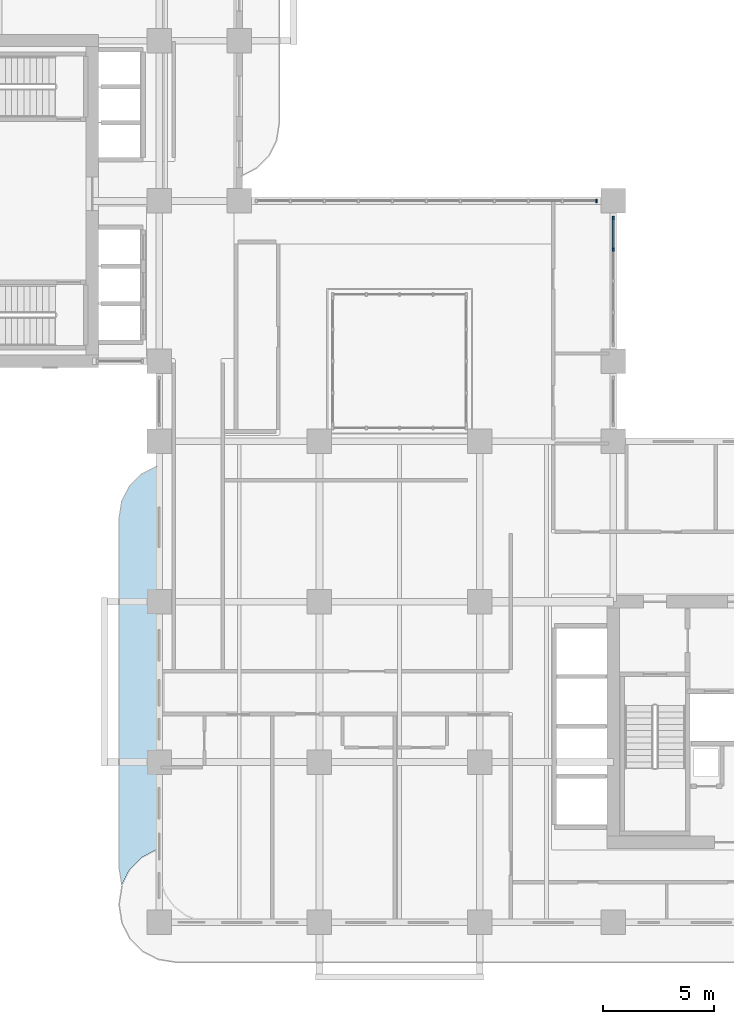
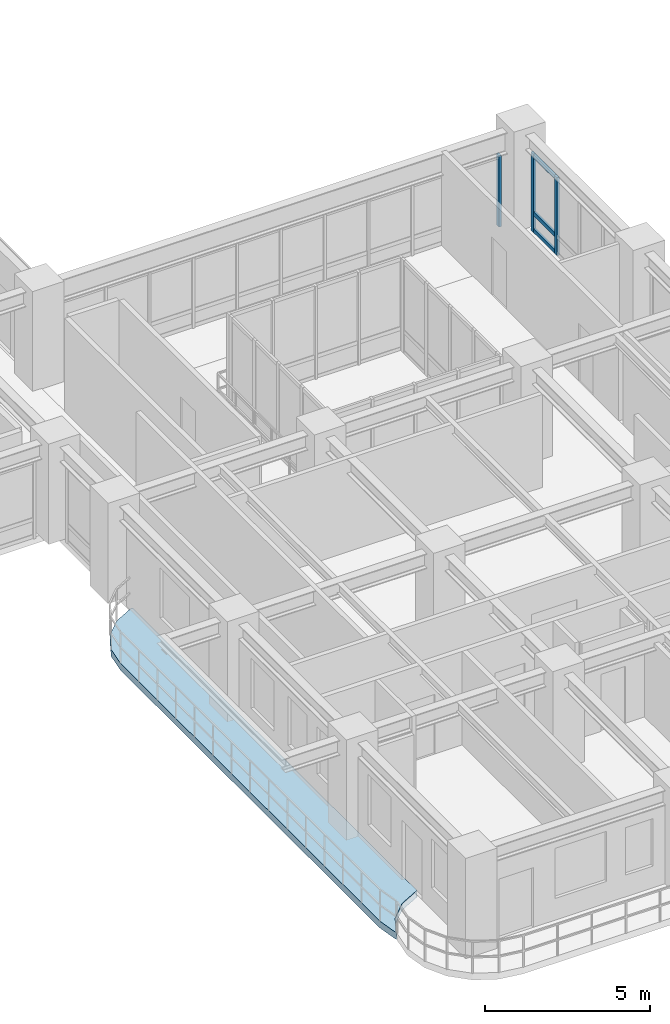
# One storey, part 8 of 22: 6 members, 1 slab, 2 elements without a shape of their own.
"""IFC4 building model written with IfcOpenShell, lengths in metres."""

from ifc_helpers import new_model, si_unit, derived_unit, direction, frame, origin, origin_2d, place, context, subcontext, project, spatial, polyline, rectangle, outline, extrude, source, transform, mapped, material, layer, layer_set, material_profile, profile_set, type_object, element, aggregate, save


model = new_model("IFC4")

# Units and contexts
model_context = context("Model", 3, precision=1e-05, world=origin(), true_north=direction((0.0, 1.0)))
body_context = subcontext(model_context, "Body", "Model", "MODEL_VIEW")
ifc_project = project(units=[si_unit("LENGTHUNIT", "METRE"), si_unit("AREAUNIT", "SQUARE_METRE"), si_unit("VOLUMEUNIT", "CUBIC_METRE"), si_unit("PLANEANGLEUNIT", "RADIAN"), si_unit("MASSUNIT", "GRAM", prefix="KILO"), si_unit("THERMODYNAMICTEMPERATUREUNIT", "KELVIN"), si_unit("POWERUNIT", "WATT"), derived_unit("THERMALTRANSMITTANCEUNIT", [(si_unit("POWERUNIT", "WATT"), 1), (si_unit("AREAUNIT", "SQUARE_METRE"), -1), (si_unit("THERMODYNAMICTEMPERATUREUNIT", "KELVIN"), -1)])], contexts=[model_context])

# Site, building, storey
site_placement = place(None, origin())
site = spatial("IfcSite", under=ifc_project, at=site_placement, CompositionType="ELEMENT")
building_placement = place(site_placement, origin())
building = spatial("IfcBuilding", under=site, at=building_placement, Name="Zahravan Archway Hotel and Residences", CompositionType="ELEMENT")
storey_placement = place(building_placement, frame((0.0, 0.0, 73.10009765625)))
storey = spatial("IfcBuildingStorey", under=building, at=storey_placement, Name="L17", CompositionType="ELEMENT", Elevation=73.10009765625)

# Curtain wall, members
ifc_material_1 = material(Name="Bronze-Anodized Unitised Aluminium & Low-E Glass", Category="aluminium")
ifc_layer_1 = layer(ifc_material_1, 0.179931640625, Name="Bronze-Anodized Unitised Aluminium & Low-E Glass", Category="aluminium")
ifc_layer_set_1 = layer_set([ifc_layer_1], Name="Bronze-Anodized Unitised Aluminium & Low-E Glass")
curtain_wall_type = type_object("IfcCurtainWallType", Name="CW-ATR-GLAZ", PredefinedType="NOTDEFINED", material=ifc_layer_set_1)
curtain_wall_1_placement = place(storey_placement, origin())
curtain_wall_1 = element("IfcCurtainWall", 1, at=curtain_wall_1_placement, inside=storey, type_object=curtain_wall_type, Name="L17 Curtain Wall CW-L17-HNG-E-2", PredefinedType="NOTDEFINED")
ifc_material_2 = material(Name="Bronze-Anodized Extruded Aluminium", Category="aluminium")
ifc_material_profile_1 = material_profile(ifc_material_2, rectangle(XDim=0.080078125, YDim=0.139892578125, at=origin_2d()), Name="TRN 80x140", Category="aluminium")
ifc_profile_set_1 = profile_set([ifc_material_profile_1], Name="Bronze-Anodized Extruded Aluminium")
member_type_1 = type_object("IfcMemberType", Name="CWM-TRN-140", PredefinedType="USERDEFINED", material=ifc_profile_set_1)
shared_shape_1 = source(origin(), body_context, "Body", "SweptSolid", [
    extrude(rectangle(XDim=0.080078125, YDim=0.139892578125, at=origin_2d()), origin(), (0.0, 0.0, 1.0), 1.340087890625),
])
member_1_placement = place(storey_placement, frame((34.800048828125, 30.260009765625, 0.06982421875), z_axis=(0.0, 1.0, 0.0), x_axis=(-1.0, 0.0, 0.0)))
member_1 = element("IfcMember", 2, at=member_1_placement, type_object=member_type_1, Name="CW-L17-HNG-E-2 Transom 3-1", ObjectType="TRANSOM", PredefinedType="USERDEFINED", context=body_context, shape_type="MappedRepresentation", body=[
    mapped(shared_shape_1, transform((0.0, 0.0, 0.0), scale=1.0)),
])
member_2_placement = place(storey_placement, frame((34.800048828125, 30.260009765625, 0.6923828125), z_axis=(0.0, 1.0, 0.0), x_axis=(-1.0, 0.0, 0.0)))
member_2 = element("IfcMember", 3, at=member_2_placement, type_object=member_type_1, Name="CW-L17-HNG-E-2 Transom 3-2", ObjectType="TRANSOM", PredefinedType="USERDEFINED", context=body_context, shape_type="MappedRepresentation", body=[
    mapped(shared_shape_1, transform((0.0, 0.0, 0.0), scale=1.0)),
])
member_3_placement = place(storey_placement, frame((34.800048828125, 30.260009765625, 2.81494140625), z_axis=(0.0, 1.0, 0.0), x_axis=(-1.0, 0.0, 0.0)))
member_3 = element("IfcMember", 4, at=member_3_placement, type_object=member_type_1, Name="CW-L17-HNG-E-2 Transom 3-3", ObjectType="TRANSOM", PredefinedType="USERDEFINED", context=body_context, shape_type="MappedRepresentation", body=[
    mapped(shared_shape_1, transform((0.0, 0.0, 0.0), scale=1.0)),
])
ifc_material_profile_2 = material_profile(ifc_material_2, rectangle(XDim=0.080078125, YDim=0.159912109375, at=origin_2d()), Name="MUL 80x160", Category="aluminium")
ifc_profile_set_2 = profile_set([ifc_material_profile_2], Name="Bronze-Anodized Extruded Aluminium")
member_type_2 = type_object("IfcMemberType", Name="CWM-MUL-160", PredefinedType="MULLION", material=ifc_profile_set_2)
shared_shape_2 = source(origin(), body_context, "Body", "SweptSolid", [
    extrude(rectangle(XDim=0.080078125, YDim=0.159912109375, at=origin_2d()), origin(), (0.0, 0.0, 1.0), 2.885009765625),
])
member_4_placement = place(storey_placement, frame((34.800048828125, 30.219970703125, 0.0), z_axis=(0.0, 0.0, 1.0), x_axis=(1.0, 0.0, 0.0)))
member_4 = element("IfcMember", 5, at=member_4_placement, type_object=member_type_2, Name="CW-L17-HNG-E-2 Mullion 3", PredefinedType="MULLION", context=body_context, shape_type="MappedRepresentation", body=[
    mapped(shared_shape_2, transform((0.0, 0.0, 0.0), scale=1.0)),
])
member_5_placement = place(storey_placement, frame((34.800048828125, 31.639892578125, 0.0), z_axis=(0.0, 0.0, 1.0), x_axis=(1.0, 0.0, 0.0)))
member_5 = element("IfcMember", 6, at=member_5_placement, type_object=member_type_2, Name="CW-L17-HNG-E-2 Mullion 4", PredefinedType="MULLION", context=body_context, shape_type="MappedRepresentation", body=[
    mapped(shared_shape_2, transform((0.0, 0.0, 0.0), scale=1.0)),
])
aggregate(curtain_wall_1, [member_4, member_5, member_1, member_2, member_3])

# Curtain wall, member
curtain_wall_2_placement = place(storey_placement, origin())
curtain_wall_2 = element("IfcCurtainWall", 7, at=curtain_wall_2_placement, inside=storey, type_object=curtain_wall_type, Name="L17 Curtain Wall CW-L17-HNG-N-1", PredefinedType="NOTDEFINED")
shared_shape_3 = source(origin(), body_context, "Body", "SweptSolid", [
    extrude(rectangle(XDim=0.080078125, YDim=0.159912109375, at=origin_2d()), origin(), (0.0, 0.0, 1.0), 2.635009765625),
])
member_6_placement = place(storey_placement, frame((34.0400390625, 32.39990234375, 0.0), z_axis=(0.0, 0.0, 1.0), x_axis=(1.0, 0.0, 0.0)))
member_6 = element("IfcMember", 8, at=member_6_placement, type_object=member_type_2, Name="CW-L17-HNG-N-1 Mullion 10", PredefinedType="MULLION", context=body_context, shape_type="MappedRepresentation", body=[
    mapped(shared_shape_3, transform((0.0, 0.0, 0.0), scale=1.0)),
])
aggregate(curtain_wall_2, [member_6])

# Slab
ifc_material_3 = material(Name="Concrete C45/55", Category="concrete")
ifc_layer_2 = layer(ifc_material_3, 0.25, Name="Concrete C45/55", Category="concrete")
ifc_layer_set_2 = layer_set([ifc_layer_2], Name="Concrete C45/55")
slab_type = type_object("IfcSlabType", Name="SLB-BALC-250", PredefinedType="FLOOR", material=ifc_layer_set_2)
slab_placement = place(storey_placement, frame((0.0, 0.0, -0.25)))
element("IfcSlab", 9, at=slab_placement, inside=storey, type_object=slab_type, Name="L17 Wing A West Rounded Balcony Band", PredefinedType="FLOOR", context=body_context, shape_type="SweptSolid", body=[
    extrude(outline(polyline([(12.719970703125, 1.69287109375), (12.60009765625, 2.449951171875), (12.60009765625, 18.14990234375), (12.719970703125, 18.906982421875), (13.06787109375, 19.590087890625), (13.60986328125, 20.132080078125), (14.29296875, 20.47998046875), (14.3798828125, 20.493896484375), (14.3798828125, 3.298095703125), (14.37890625, 3.298095703125), (14.376953125, 3.2978515625), (14.35888671875, 3.294921875), (14.356689453125, 3.29443359375), (14.354736328125, 3.2939453125), (14.352783203125, 3.29296875), (13.64208984375, 2.930908203125), (13.64013671875, 2.9296875), (13.638427734375, 2.928466796875), (13.636962890625, 2.927001953125), (13.072998046875, 2.363037109375), (13.071533203125, 2.361572265625), (13.0703125, 2.35986328125), (13.069091796875, 2.35791015625), (12.72509765625, 1.6826171875), (12.719970703125, 1.69287109375)])), origin(), (0.0, 0.0, 1.0), 0.25),
])

save(model, "model.ifc")
